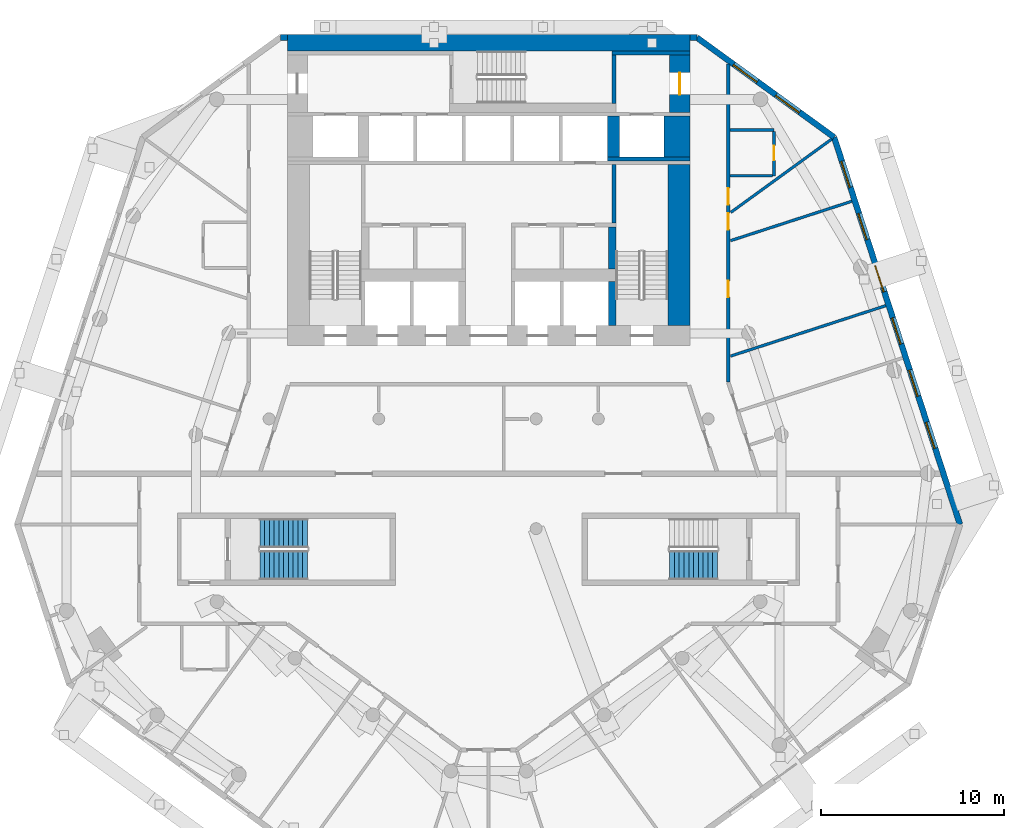
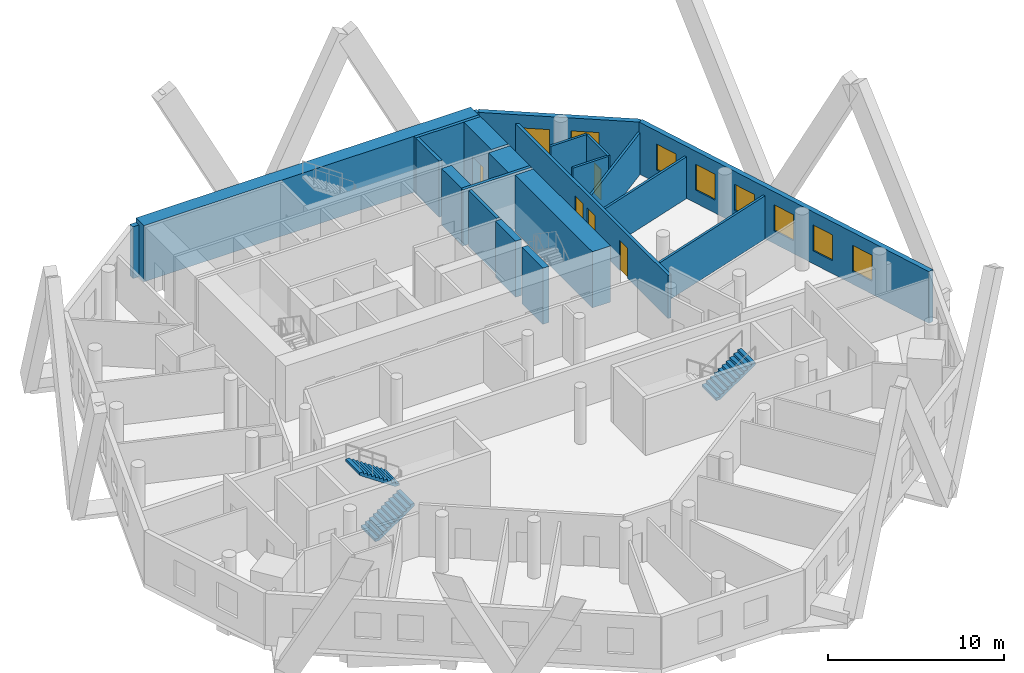
# One storey, part 8 of 11: 22 walls, 8 windows, 5 doors, 3 stair flights, 13 openings, 2 elements without a shape of their own.
"""IFC4 building model written with IfcOpenShell, lengths in metres."""

import ifcopenshell
import ifcopenshell.guid

model = None  # the IFC model being written
_history = None  # IfcOwnerHistory: only IFC2X3 demands one
_inside = {}  # id of a spatial element -> (the spatial element, [elements in it])
_under = {}  # id of a project, library or spatial element -> (it, [spatial elements below it])
_declared = {}  # id of a project -> (the project, [libraries it declares])
_typed = {}  # id of a type object -> (the type object, [elements of that type])
_made_of = {}  # id of a material, layer set ... -> (it, [elements and type objects made of it])


def new_model(schema):
    """Start an empty IFC model of exactly this schema.

    Asked for "IFC4X3", IfcOpenShell would pick the latest addendum, in which some entities
    have other attributes; the version numbers below select the first issue.
    IFC2X3 requires an IfcOwnerHistory on every rooted entity: one is made here for all.
    """
    global model, _history
    if schema == "IFC4X3":
        model = ifcopenshell.file(schema_version=(4, 3, 0, 0))
    else:
        model = ifcopenshell.file(schema=schema)
    _inside.clear()
    _under.clear()
    _declared.clear()
    _typed.clear()
    _made_of.clear()
    _history = None
    if model.schema == "IFC2X3":
        org = make("IfcOrganization", Name="unknown")
        user = make(
            "IfcPersonAndOrganization",
            ThePerson=make("IfcPerson", FamilyName="unknown"),
            TheOrganization=org,
        )
        app = make(
            "IfcApplication",
            ApplicationDeveloper=org,
            Version="unknown",
            ApplicationFullName="unknown",
            ApplicationIdentifier="unknown",
        )
        _history = make(
            "IfcOwnerHistory",
            OwningUser=user,
            OwningApplication=app,
            ChangeAction="ADDED",
            CreationDate=0,
        )
    return model


def make(cls, **values):
    """One entity of the class cls with the attributes given. An attribute that is None is left unset."""
    return model.create_entity(
        cls, **{name: value for name, value in values.items() if value is not None}
    )


def rooted(cls, **values):
    """An entity with a GlobalId (a new one), such as an element, a storey or a relation."""
    return make(cls, GlobalId=ifcopenshell.guid.new(), OwnerHistory=_history, **values)


def si_unit(unit_type, name, prefix=None):
    """IfcSIUnit, for example si_unit("LENGTHUNIT", "METRE", prefix="MILLI")."""
    return make("IfcSIUnit", UnitType=unit_type, Prefix=prefix, Name=name)


def assignment(units):
    """IfcUnitAssignment: the units of a project."""
    return None if units is None else make("IfcUnitAssignment", Units=units)


def point(xyz):
    """IfcCartesianPoint."""
    return None if xyz is None else make("IfcCartesianPoint", Coordinates=xyz)


def direction(xyz):
    """IfcDirection."""
    return None if xyz is None else make("IfcDirection", DirectionRatios=xyz)


def frame(location, z_axis=None, x_axis=None):
    """IfcAxis2Placement3D, a coordinate frame: its origin and axes. An axis left out is left unset."""
    return make(
        "IfcAxis2Placement3D",
        Location=point(location),
        Axis=direction(z_axis),
        RefDirection=direction(x_axis),
    )


def frame_2d(location, x_axis=None):
    """IfcAxis2Placement2D, a coordinate frame in the plane: its origin and x axis."""
    return make(
        "IfcAxis2Placement2D", Location=point(location), RefDirection=direction(x_axis)
    )


def origin():
    """The frame at (0, 0, 0) with its axes left unset."""
    return frame((0.0, 0.0, 0.0))


def place(relative_to, where):
    """IfcLocalPlacement: puts the frame where relative to a parent placement (None: the world)."""
    return make(
        "IfcLocalPlacement", PlacementRelTo=relative_to, RelativePlacement=where
    )


def context(
    kind, dimensions, precision=None, world=None, true_north=None, identifier=None
):
    """IfcGeometricRepresentationContext, for example the 3D "Model" context."""
    return make(
        "IfcGeometricRepresentationContext",
        ContextIdentifier=identifier,
        ContextType=kind,
        CoordinateSpaceDimension=dimensions,
        Precision=precision,
        WorldCoordinateSystem=world,
        TrueNorth=true_north,
    )


def subcontext(parent, identifier, kind, view, scale=None):
    """IfcGeometricRepresentationSubContext, for example "Body" below "Model"."""
    return make(
        "IfcGeometricRepresentationSubContext",
        ContextIdentifier=identifier,
        ContextType=kind,
        ParentContext=parent,
        TargetScale=scale,
        TargetView=view,
    )


def project(units=None, contexts=None):
    """IfcProject with its units and contexts."""
    return rooted(
        "IfcProject",
        Name="project",
        RepresentationContexts=contexts,
        UnitsInContext=assignment(units),
    )


def spatial(cls, under=None, at=None, **own):
    """A site, building, storey or space (cls), placed at a placement, below another one or the project."""
    s = rooted(cls, ObjectPlacement=at, **own)
    if under is not None:
        _under.setdefault(under.id(), (under, []))[1].append(s)
    return s


def polyline(points):
    """IfcPolyline through the points."""
    return make("IfcPolyline", Points=[point(p) for p in points])


def profile(cls, at=None, kind="AREA", **sizes):
    """A parametric profile (cls). Its sizes go by their IFC names, for example OverallWidth=200.0."""
    return make(cls, ProfileType=kind, Position=at, **sizes)


def rectangle(**sizes):
    """IfcRectangleProfileDef."""
    return profile("IfcRectangleProfileDef", **sizes)


def outline(outer, holes=None, kind="AREA"):
    """IfcArbitraryClosedProfileDef: a profile drawn as a closed curve; with holes, ...WithVoids."""
    if holes is None:
        return make("IfcArbitraryClosedProfileDef", ProfileType=kind, OuterCurve=outer)
    return make(
        "IfcArbitraryProfileDefWithVoids",
        ProfileType=kind,
        OuterCurve=outer,
        InnerCurves=holes,
    )


def extrude(swept, where, along, depth):
    """IfcExtrudedAreaSolid: the profile swept, set in the frame where, extruded along a direction by depth."""
    return make(
        "IfcExtrudedAreaSolid",
        SweptArea=swept,
        Position=where,
        ExtrudedDirection=direction(along),
        Depth=depth,
    )


def shape(context_of_items, identifier, shape_type, items):
    """IfcShapeRepresentation: the items that make up one representation, for example the "Body"."""
    return make(
        "IfcShapeRepresentation",
        ContextOfItems=context_of_items,
        RepresentationIdentifier=identifier,
        RepresentationType=shape_type,
        Items=items,
    )


def material(Name=None, Category=None):
    """IfcMaterial."""
    return make("IfcMaterial", Name=Name, Category=Category)


def layer(
    of_material, thickness, ventilated=None, Name=None, Category=None, Priority=None
):
    """IfcMaterialLayer: one layer of a wall or slab, of a material (None: an air gap)."""
    return make(
        "IfcMaterialLayer",
        Material=of_material,
        LayerThickness=thickness,
        IsVentilated=ventilated,
        Name=Name,
        Category=Category,
        Priority=Priority,
    )


def layer_set(layers, Name=None):
    """IfcMaterialLayerSet."""
    return make("IfcMaterialLayerSet", MaterialLayers=layers, LayerSetName=Name)


def made_of(thing, what):
    """Note that an element or type object is made of a material, layer set ...; save() writes the relation."""
    if what is not None:
        _made_of.setdefault(what.id(), (what, []))[1].append(thing)
    return thing


def type_object(cls, material=None, **own):
    """A type object (cls), such as IfcWallType, which elements share."""
    return made_of(rooted(cls, **own), material)


def element(
    cls,
    number,
    at=None,
    inside=None,
    cuts=None,
    type_object=None,
    material=None,
    context=None,
    identifier="Body",
    shape_type=None,
    held_by="IfcProductDefinitionShape",
    body=None,
    shapes=None,
    **own,
):
    """One element of the class cls, such as IfcWall. Its Tag is "e" and its number.

    at: its placement. inside: the storey or other place that contains it. cuts: it is an
    opening in that element (IfcRelVoidsElement). A single representation is given by context,
    identifier, shape_type and body (its items); several are given by shapes. held_by: the class
    of the entity that holds the representations. save() writes the other relations.
    """
    e = rooted(cls, Tag="e%d" % number, ObjectPlacement=at, **own)
    if body is not None:
        shapes = [shape(context, identifier, shape_type, body)]
    if shapes is not None:
        e.Representation = make(held_by, Representations=shapes)
    if inside is not None:
        _inside.setdefault(inside.id(), (inside, []))[1].append(e)
    if cuts is not None:
        rooted(
            "IfcRelVoidsElement", RelatingBuildingElement=cuts, RelatedOpeningElement=e
        )
    if type_object is not None:
        _typed.setdefault(type_object.id(), (type_object, []))[1].append(e)
    return made_of(e, material)


def fill(opening, filler):
    """IfcRelFillsElement: the door or window that sits in an opening."""
    return rooted(
        "IfcRelFillsElement",
        RelatingOpeningElement=opening,
        RelatedBuildingElement=filler,
    )


def aggregate(whole, parts):
    """IfcRelAggregates: a whole, such as a stair, and the parts it consists of."""
    return rooted("IfcRelAggregates", RelatingObject=whole, RelatedObjects=parts)


def save(model, path):
    """Write the relations noted so far, then the file.

    IfcRelAggregates (storeys below a building ...), IfcRelContainedInSpatialStructure (elements
    in a storey), IfcRelDefinesByType, IfcRelAssociatesMaterial and IfcRelDeclares: one each for
    every whole, place, type object, material and project.
    """
    for whole, parts in _under.values():
        aggregate(whole, parts)
    for where, things in _inside.values():
        rooted(
            "IfcRelContainedInSpatialStructure",
            RelatedElements=things,
            RelatingStructure=where,
        )
    for kind, things in _typed.values():
        rooted("IfcRelDefinesByType", RelatedObjects=things, RelatingType=kind)
    for what, things in _made_of.values():
        rooted("IfcRelAssociatesMaterial", RelatedObjects=things, RelatingMaterial=what)
    for by, libraries in _declared.values():
        rooted("IfcRelDeclares", RelatingContext=by, RelatedDefinitions=libraries)
    model.write(path)


model = new_model("IFC4")

# Units and contexts
model_context = context("Model", 3, precision=1e-05, world=origin(), true_north=direction((0.0, 1.0)))
body_context = subcontext(model_context, "Body", "Model", "MODEL_VIEW")
ifc_project = project(units=[si_unit("LENGTHUNIT", "METRE"), si_unit("AREAUNIT", "SQUARE_METRE"), si_unit("VOLUMEUNIT", "CUBIC_METRE"), si_unit("PLANEANGLEUNIT", "RADIAN"), si_unit("MASSUNIT", "GRAM", prefix="KILO")], contexts=[model_context])

# Site, building, storey
site_placement = place(None, origin())
site = spatial("IfcSite", under=ifc_project, at=site_placement, CompositionType="ELEMENT")
building_placement = place(site_placement, origin())
building = spatial("IfcBuilding", under=site, at=building_placement, Name="White Candle Pilgrim Tower", CompositionType="ELEMENT")
storey_placement = place(building_placement, frame((0.0, 0.0, 90.800048828125)))
storey = spatial("IfcBuildingStorey", under=building, at=storey_placement, Name="L19", CompositionType="ELEMENT", Elevation=90.800048828125)

# Wall, opening, door
ifc_material_1 = material(Name="Concrete C60/75", Category="concrete")
ifc_layer_1 = layer(ifc_material_1, 1.10009765625)
ifc_layer_set_1 = layer_set([ifc_layer_1], Name="Core wall 1100 mm Concrete C60/75")
wall_type_1 = type_object("IfcWallType", Name="Core wall 1100 mm Concrete C60/75", PredefinedType="SHEAR", material=ifc_layer_set_1)
wall_1_placement = place(storey_placement, frame((80.449951171875, 83.75, 0.0), z_axis=(0.0, 0.0, 1.0), x_axis=(0.0, 1.0, 0.0)))
wall_1 = element("IfcWall", 1, at=wall_1_placement, inside=storey, type_object=wall_type_1, Name="WL-L19-C46", PredefinedType="SHEAR", context=body_context, shape_type="SweptSolid", body=[
    extrude(rectangle(XDim=3.14990234375, YDim=1.10009765625, at=frame_2d((1.574951171875, 0.0))), origin(), (0.0, 0.0, 1.0), 3.89990234375),
])
opening_1_placement = place(wall_1_placement, frame((0.97509765625, 0.0, 0.0)))
opening_1 = element("IfcOpeningElement", 2, at=opening_1_placement, cuts=wall_1, Name="Opening T06-006", PredefinedType="OPENING", context=body_context, shape_type="SweptSolid", body=[
    extrude(rectangle(XDim=1.199951171875, YDim=2.10009765625, at=frame_2d((0.60009765625, 1.050048828125))), frame((0.0, 0.56005859375, 0.0), z_axis=(0.0, -1.0, 0.0), x_axis=(1.0, 0.0, 0.0)), (0.0, 0.0, 1.0), 1.1201171875),
])
ifc_material_2 = material(Name="Steel door leaf", Category="steel")
door_type_1 = type_object("IfcDoorType", Name="Fire door 1200 x 2100 EI 30", OperationType="NOTDEFINED", PredefinedType="DOOR", material=ifc_material_2)
door_1_placement = place(opening_1_placement, origin())
door_1 = element("IfcDoor", 3, at=door_1_placement, inside=storey, type_object=door_type_1, Name="Door T06-006", OperationType="SINGLE_SWING_RIGHT", OverallHeight=2.10009765625, OverallWidth=1.199951171875, PredefinedType="DOOR", context=body_context, shape_type="SweptSolid", body=[
    extrude(rectangle(XDim=1.199951171875, YDim=2.10009765625, at=frame_2d((0.60009765625, 1.050048828125))), frame((0.0, 0.02490234375, 0.0), z_axis=(0.0, -1.0, 0.0), x_axis=(1.0, 0.0, 0.0)), (0.0, 0.0, 1.0), 0.050048828125),
])
fill(opening_1, door_1)

# Walls
ifc_layer_2 = layer(ifc_material_1, 1.39990234375)
ifc_layer_set_2 = layer_set([ifc_layer_2], Name="Core wall 1400 mm Concrete C60/75")
wall_type_2 = type_object("IfcWallType", Name="Core wall 1400 mm Concrete C60/75", PredefinedType="SHEAR", material=ifc_layer_set_2)
wall_2_placement = place(storey_placement, frame((80.300048828125, 81.300048828125, 0.0), z_axis=(0.0, 0.0, 1.0), x_axis=(0.0, 1.0, 0.0)))
element("IfcWall", 4, at=wall_2_placement, inside=storey, type_object=wall_type_2, Name="WL-L19-C42", PredefinedType="SHEAR", context=body_context, shape_type="SweptSolid", body=[
    extrude(rectangle(XDim=2.25, YDim=1.39990234375, at=frame_2d((1.125, 0.0))), origin(), (0.0, 0.0, 1.0), 3.89990234375),
])
ifc_layer_3 = layer(ifc_material_1, 0.199951171875)
ifc_layer_set_3 = layer_set([ifc_layer_3], Name="Core wall 200 mm Concrete C60/75")
wall_type_3 = type_object("IfcWallType", Name="Core wall 200 mm Concrete C60/75", PredefinedType="SHEAR", material=ifc_layer_set_3)
wall_3_placement = place(storey_placement, frame((76.5, 81.199951171875, 0.0), z_axis=(0.0, 0.0, 1.0), x_axis=(1.0, 0.0, 0.0)))
element("IfcWall", 5, at=wall_3_placement, inside=storey, type_object=wall_type_3, Name="WL-L19-C38", PredefinedType="SHEAR", context=body_context, shape_type="SweptSolid", body=[
    extrude(rectangle(XDim=4.5, YDim=0.199951171875, at=frame_2d((2.25, 0.0))), origin(), (0.0, 0.0, 1.0), 3.89990234375),
])

# Wall, openings, doors
ifc_material_3 = material(Name="Gypsum board on steel studs", Category="steel")
ifc_layer_4 = layer(ifc_material_3, 0.199951171875)
ifc_layer_set_4 = layer_set([ifc_layer_4], Name="Corridor wall 200 mm EI 45")
wall_type_4 = type_object("IfcWallType", Name="Corridor wall 200 mm EI 45", PredefinedType="PARTITIONING", material=ifc_layer_set_4)
wall_4_placement = place(storey_placement, frame((83.10009765625, 86.396240234375, 0.0), z_axis=(0.0, 0.0, 1.0), x_axis=(0.0, -1.0, 0.0)))
wall_4 = element("IfcWall", 6, at=wall_4_placement, inside=storey, type_object=wall_type_4, Name="WL-L19-P004", PredefinedType="PARTITIONING", context=body_context, shape_type="SweptSolid", body=[
    extrude(rectangle(XDim=17.37451171875, YDim=0.199951171875, at=frame_2d((8.687255859375, 0.0))), origin(), (0.0, 0.0, 1.0), 3.0),
])
opening_2_placement = place(wall_4_placement, frame((6.785888671875, 0.0, 0.0)))
opening_2 = element("IfcOpeningElement", 7, at=opening_2_placement, cuts=wall_4, Name="Opening T06-123", PredefinedType="OPENING", context=body_context, shape_type="SweptSolid", body=[
    extrude(rectangle(XDim=0.89990234375, YDim=2.10009765625, at=frame_2d((0.449951171875, 1.050048828125))), frame((0.0, 0.10986328125, 0.0), z_axis=(0.0, -1.0, 0.0), x_axis=(1.0, 0.0, 0.0)), (0.0, 0.0, 1.0), 0.219970703125),
])
opening_3_placement = place(wall_4_placement, frame((8.156494140625, 0.0, 0.0)))
opening_3 = element("IfcOpeningElement", 8, at=opening_3_placement, cuts=wall_4, Name="Opening T06-124", PredefinedType="OPENING", context=body_context, shape_type="SweptSolid", body=[
    extrude(rectangle(XDim=0.89990234375, YDim=2.10009765625, at=frame_2d((0.449951171875, 1.050048828125))), frame((0.0, 0.10986328125, 0.0), z_axis=(0.0, -1.0, 0.0), x_axis=(1.0, 0.0, 0.0)), (0.0, 0.0, 1.0), 0.219970703125),
])
opening_4_placement = place(wall_4_placement, frame((11.8486328125, 0.0, 0.0)))
opening_4 = element("IfcOpeningElement", 9, at=opening_4_placement, cuts=wall_4, Name="Opening T06-125", PredefinedType="OPENING", context=body_context, shape_type="SweptSolid", body=[
    extrude(rectangle(XDim=0.89990234375, YDim=2.10009765625, at=frame_2d((0.449951171875, 1.050048828125))), frame((0.0, 0.10986328125, 0.0), z_axis=(0.0, -1.0, 0.0), x_axis=(1.0, 0.0, 0.0)), (0.0, 0.0, 1.0), 0.219970703125),
])
door_type_2 = type_object("IfcDoorType", Name="Fire door 900 x 2100 EI 30", OperationType="NOTDEFINED", PredefinedType="DOOR", material=ifc_material_2)
door_2_placement = place(opening_2_placement, origin())
door_2 = element("IfcDoor", 10, at=door_2_placement, inside=storey, type_object=door_type_2, Name="Door T06-123", OperationType="SINGLE_SWING_LEFT", OverallHeight=2.10009765625, OverallWidth=0.89990234375, PredefinedType="DOOR", context=body_context, shape_type="SweptSolid", body=[
    extrude(rectangle(XDim=0.89990234375, YDim=2.10009765625, at=frame_2d((0.449951171875, 1.050048828125))), frame((0.0, 0.02490234375, 0.0), z_axis=(0.0, -1.0, 0.0), x_axis=(1.0, 0.0, 0.0)), (0.0, 0.0, 1.0), 0.050048828125),
])
fill(opening_2, door_2)
door_3_placement = place(opening_3_placement, origin())
door_3 = element("IfcDoor", 11, at=door_3_placement, inside=storey, type_object=door_type_2, Name="Door T06-124", OperationType="SINGLE_SWING_RIGHT", OverallHeight=2.10009765625, OverallWidth=0.89990234375, PredefinedType="DOOR", context=body_context, shape_type="SweptSolid", body=[
    extrude(rectangle(XDim=0.89990234375, YDim=2.10009765625, at=frame_2d((0.449951171875, 1.050048828125))), frame((0.0, 0.02490234375, 0.0), z_axis=(0.0, -1.0, 0.0), x_axis=(1.0, 0.0, 0.0)), (0.0, 0.0, 1.0), 0.050048828125),
])
fill(opening_3, door_3)
door_4_placement = place(opening_4_placement, origin())
door_4 = element("IfcDoor", 12, at=door_4_placement, inside=storey, type_object=door_type_2, Name="Door T06-125", OperationType="SINGLE_SWING_LEFT", OverallHeight=2.10009765625, OverallWidth=0.89990234375, PredefinedType="DOOR", context=body_context, shape_type="SweptSolid", body=[
    extrude(rectangle(XDim=0.89990234375, YDim=2.10009765625, at=frame_2d((0.449951171875, 1.050048828125))), frame((0.0, 0.02490234375, 0.0), z_axis=(0.0, -1.0, 0.0), x_axis=(1.0, 0.0, 0.0)), (0.0, 0.0, 1.0), 0.050048828125),
])
fill(opening_4, door_4)

# Wall, openings, windows
ifc_material_4 = material(Name="Precast concrete C40/50", Category="concrete")
ifc_layer_5 = layer(ifc_material_4, 0.320068359375)
ifc_layer_set_5 = layer_set([ifc_layer_5], Name="Facade wall EW1 precast concrete C40/50 pier wall with timber-lined reveals")
wall_type_5 = type_object("IfcWallType", Name="Facade wall EW1 precast concrete C40/50 pier wall with timber-lined reveals", PredefinedType="SOLIDWALL", material=ifc_layer_set_5)
wall_5_placement = place(storey_placement, frame((95.762451171875, 61.230712890625, 0.0), z_axis=(0.0, 0.0, 1.0), x_axis=(-0.309018577053, 0.95105600205, 0.0)))
wall_5 = element("IfcWall", 13, at=wall_5_placement, inside=storey, type_object=wall_type_5, Name="Facade wall L19 ENE", PredefinedType="SOLIDWALL", context=body_context, shape_type="SweptSolid", body=[
    extrude(rectangle(XDim=22.2470703125, YDim=0.320068359375, at=frame_2d((11.12353515625, 0.0))), origin(), (0.0, 0.0, 1.0), 3.599853515625),
])
opening_5_placement = place(wall_5_placement, frame((4.37353515625, 0.0, 0.89990234375)))
opening_5 = element("IfcOpeningElement", 14, at=opening_5_placement, cuts=wall_5, Name="Opening W1", PredefinedType="OPENING", context=body_context, shape_type="SweptSolid", body=[
    extrude(rectangle(XDim=1.5, YDim=1.800048828125, at=frame_2d((0.75, 0.89990234375))), frame((0.0, 0.169921875, 0.0), z_axis=(0.0, -1.0, 0.0), x_axis=(1.0, 0.0, 0.0)), (0.0, 0.0, 1.0), 0.340087890625),
])
opening_6_placement = place(wall_5_placement, frame((7.37353515625, 0.0, 0.89990234375)))
opening_6 = element("IfcOpeningElement", 15, at=opening_6_placement, cuts=wall_5, Name="Opening W1", PredefinedType="OPENING", context=body_context, shape_type="SweptSolid", body=[
    extrude(rectangle(XDim=1.5, YDim=1.800048828125, at=frame_2d((0.75, 0.89990234375))), frame((0.0, 0.169921875, 0.0), z_axis=(0.0, -1.0, 0.0), x_axis=(1.0, 0.0, 0.0)), (0.0, 0.0, 1.0), 0.340087890625),
])
opening_7_placement = place(wall_5_placement, frame((10.37353515625, 0.0, 0.89990234375)))
opening_7 = element("IfcOpeningElement", 16, at=opening_7_placement, cuts=wall_5, Name="Opening W1", PredefinedType="OPENING", context=body_context, shape_type="SweptSolid", body=[
    extrude(rectangle(XDim=1.5, YDim=1.800048828125, at=frame_2d((0.75, 0.89990234375))), frame((0.0, 0.169921875, 0.0), z_axis=(0.0, -1.0, 0.0), x_axis=(1.0, 0.0, 0.0)), (0.0, 0.0, 1.0), 0.340087890625),
])
opening_8_placement = place(wall_5_placement, frame((13.37353515625, 0.0, 0.89990234375)))
opening_8 = element("IfcOpeningElement", 17, at=opening_8_placement, cuts=wall_5, Name="Opening W1", PredefinedType="OPENING", context=body_context, shape_type="SweptSolid", body=[
    extrude(rectangle(XDim=1.5, YDim=1.800048828125, at=frame_2d((0.75, 0.89990234375))), frame((0.0, 0.169921875, 0.0), z_axis=(0.0, -1.0, 0.0), x_axis=(1.0, 0.0, 0.0)), (0.0, 0.0, 1.0), 0.340087890625),
])
opening_9_placement = place(wall_5_placement, frame((16.37353515625, 0.0, 0.89990234375)))
opening_9 = element("IfcOpeningElement", 18, at=opening_9_placement, cuts=wall_5, Name="Opening W1", PredefinedType="OPENING", context=body_context, shape_type="SweptSolid", body=[
    extrude(rectangle(XDim=1.5, YDim=1.800048828125, at=frame_2d((0.75, 0.89990234375))), frame((0.0, 0.169921875, 0.0), z_axis=(0.0, -1.0, 0.0), x_axis=(1.0, 0.0, 0.0)), (0.0, 0.0, 1.0), 0.340087890625),
])
opening_10_placement = place(wall_5_placement, frame((19.37353515625, 0.0, 0.89990234375)))
opening_10 = element("IfcOpeningElement", 19, at=opening_10_placement, cuts=wall_5, Name="Opening W1", PredefinedType="OPENING", context=body_context, shape_type="SweptSolid", body=[
    extrude(rectangle(XDim=1.5, YDim=1.800048828125, at=frame_2d((0.75, 0.89990234375))), frame((0.0, 0.169921875, 0.0), z_axis=(0.0, -1.0, 0.0), x_axis=(1.0, 0.0, 0.0)), (0.0, 0.0, 1.0), 0.340087890625),
])
ifc_material_5 = material(Name="Timber frame with triple glazing", Category="wood")
window_type_1 = type_object("IfcWindowType", Name="Window W1 1500x1800 timber frame triple glazing", PartitioningType="SINGLE_PANEL", PredefinedType="WINDOW", material=ifc_material_5)
window_1_placement = place(opening_5_placement, origin())
window_1 = element("IfcWindow", 20, at=window_1_placement, inside=storey, type_object=window_type_1, Name="Window W1 L19 ENE 2", OverallHeight=1.800048828125, OverallWidth=1.5, PartitioningType="SINGLE_PANEL", PredefinedType="WINDOW", context=body_context, shape_type="SweptSolid", body=[
    extrude(rectangle(XDim=1.5, YDim=1.800048828125, at=frame_2d((0.75, 0.89990234375))), frame((0.0, 0.070068359375, 0.0), z_axis=(0.0, -1.0, 0.0), x_axis=(1.0, 0.0, 0.0)), (0.0, 0.0, 1.0), 0.06005859375),
])
fill(opening_5, window_1)
window_2_placement = place(opening_6_placement, origin())
window_2 = element("IfcWindow", 21, at=window_2_placement, inside=storey, type_object=window_type_1, Name="Window W1 L19 ENE 3", OverallHeight=1.800048828125, OverallWidth=1.5, PartitioningType="SINGLE_PANEL", PredefinedType="WINDOW", context=body_context, shape_type="SweptSolid", body=[
    extrude(rectangle(XDim=1.5, YDim=1.800048828125, at=frame_2d((0.75, 0.89990234375))), frame((0.0, 0.070068359375, 0.0), z_axis=(0.0, -1.0, 0.0), x_axis=(1.0, 0.0, 0.0)), (0.0, 0.0, 1.0), 0.06005859375),
])
fill(opening_6, window_2)
window_3_placement = place(opening_7_placement, origin())
window_3 = element("IfcWindow", 22, at=window_3_placement, inside=storey, type_object=window_type_1, Name="Window W1 L19 ENE 4", OverallHeight=1.800048828125, OverallWidth=1.5, PartitioningType="SINGLE_PANEL", PredefinedType="WINDOW", context=body_context, shape_type="SweptSolid", body=[
    extrude(rectangle(XDim=1.5, YDim=1.800048828125, at=frame_2d((0.75, 0.89990234375))), frame((0.0, 0.070068359375, 0.0), z_axis=(0.0, -1.0, 0.0), x_axis=(1.0, 0.0, 0.0)), (0.0, 0.0, 1.0), 0.06005859375),
])
fill(opening_7, window_3)
window_4_placement = place(opening_8_placement, origin())
window_4 = element("IfcWindow", 23, at=window_4_placement, inside=storey, type_object=window_type_1, Name="Window W1 L19 ENE 5", OverallHeight=1.800048828125, OverallWidth=1.5, PartitioningType="SINGLE_PANEL", PredefinedType="WINDOW", context=body_context, shape_type="SweptSolid", body=[
    extrude(rectangle(XDim=1.5, YDim=1.800048828125, at=frame_2d((0.75, 0.89990234375))), frame((0.0, 0.070068359375, 0.0), z_axis=(0.0, -1.0, 0.0), x_axis=(1.0, 0.0, 0.0)), (0.0, 0.0, 1.0), 0.06005859375),
])
fill(opening_8, window_4)
window_5_placement = place(opening_9_placement, origin())
window_5 = element("IfcWindow", 24, at=window_5_placement, inside=storey, type_object=window_type_1, Name="Window W1 L19 ENE 6", OverallHeight=1.800048828125, OverallWidth=1.5, PartitioningType="SINGLE_PANEL", PredefinedType="WINDOW", context=body_context, shape_type="SweptSolid", body=[
    extrude(rectangle(XDim=1.5, YDim=1.800048828125, at=frame_2d((0.75, 0.89990234375))), frame((0.0, 0.070068359375, 0.0), z_axis=(0.0, -1.0, 0.0), x_axis=(1.0, 0.0, 0.0)), (0.0, 0.0, 1.0), 0.06005859375),
])
fill(opening_9, window_5)
window_6_placement = place(opening_10_placement, origin())
window_6 = element("IfcWindow", 25, at=window_6_placement, inside=storey, type_object=window_type_1, Name="Window W1 L19 ENE 7", OverallHeight=1.800048828125, OverallWidth=1.5, PartitioningType="SINGLE_PANEL", PredefinedType="WINDOW", context=body_context, shape_type="SweptSolid", body=[
    extrude(rectangle(XDim=1.5, YDim=1.800048828125, at=frame_2d((0.75, 0.89990234375))), frame((0.0, 0.070068359375, 0.0), z_axis=(0.0, -1.0, 0.0), x_axis=(1.0, 0.0, 0.0)), (0.0, 0.0, 1.0), 0.06005859375),
])
fill(opening_10, window_6)

wall_6_placement = place(storey_placement, frame((88.8876953125, 82.388916015625, 0.0), z_axis=(0.0, 0.0, 1.0), x_axis=(-0.809009213142, 0.587795962092, 0.0)))
wall_6 = element("IfcWall", 26, at=wall_6_placement, inside=storey, type_object=wall_type_5, Name="Facade wall L19 NE chamfer", PredefinedType="SOLIDWALL", context=body_context, shape_type="SweptSolid", body=[
    extrude(rectangle(XDim=9.27392578125, YDim=0.320068359375, at=frame_2d((4.636962890625, 0.0))), origin(), (0.0, 0.0, 1.0), 3.599853515625),
])
opening_11_placement = place(wall_6_placement, frame((2.3369140625, 0.0, 0.89990234375)))
opening_11 = element("IfcOpeningElement", 27, at=opening_11_placement, cuts=wall_6, Name="Opening W2", PredefinedType="OPENING", context=body_context, shape_type="SweptSolid", body=[
    extrude(rectangle(XDim=1.60009765625, YDim=1.800048828125, at=frame_2d((0.800048828125, 0.89990234375))), frame((0.0, 0.169921875, 0.0), z_axis=(0.0, -1.0, 0.0), x_axis=(1.0, 0.0, 0.0)), (0.0, 0.0, 1.0), 0.340087890625),
])
opening_12_placement = place(wall_6_placement, frame((5.18701171875, 0.0, 0.89990234375)))
opening_12 = element("IfcOpeningElement", 28, at=opening_12_placement, cuts=wall_6, Name="Opening W2", PredefinedType="OPENING", context=body_context, shape_type="SweptSolid", body=[
    extrude(rectangle(XDim=1.60009765625, YDim=1.800048828125, at=frame_2d((0.800048828125, 0.89990234375))), frame((0.0, 0.169921875, 0.0), z_axis=(0.0, -1.0, 0.0), x_axis=(1.0, 0.0, 0.0)), (0.0, 0.0, 1.0), 0.340087890625),
])
window_type_2 = type_object("IfcWindowType", Name="Window W2 1600x1800 timber frame triple glazing", PartitioningType="SINGLE_PANEL", PredefinedType="WINDOW", material=ifc_material_5)
window_7_placement = place(opening_11_placement, origin())
window_7 = element("IfcWindow", 29, at=window_7_placement, inside=storey, type_object=window_type_2, Name="Window W2 L19 NE chamfer 1", OverallHeight=1.800048828125, OverallWidth=1.60009765625, PartitioningType="SINGLE_PANEL", PredefinedType="WINDOW", context=body_context, shape_type="SweptSolid", body=[
    extrude(rectangle(XDim=1.60009765625, YDim=1.800048828125, at=frame_2d((0.800048828125, 0.89990234375))), frame((0.0, 0.070068359375, 0.0), z_axis=(0.0, -1.0, 0.0), x_axis=(1.0, 0.0, 0.0)), (0.0, 0.0, 1.0), 0.06005859375),
])
fill(opening_11, window_7)
window_8_placement = place(opening_12_placement, origin())
window_8 = element("IfcWindow", 30, at=window_8_placement, inside=storey, type_object=window_type_2, Name="Window W2 L19 NE chamfer 2", OverallHeight=1.800048828125, OverallWidth=1.60009765625, PartitioningType="SINGLE_PANEL", PredefinedType="WINDOW", context=body_context, shape_type="SweptSolid", body=[
    extrude(rectangle(XDim=1.60009765625, YDim=1.800048828125, at=frame_2d((0.800048828125, 0.89990234375))), frame((0.0, 0.070068359375, 0.0), z_axis=(0.0, -1.0, 0.0), x_axis=(1.0, 0.0, 0.0)), (0.0, 0.0, 1.0), 0.06005859375),
])
fill(opening_12, window_8)

# Walls
for number, where, z_axis, x_axis, name in (
    (31, (81.385009765625, 87.840087890625, 0.0), (0.0, 0.0, 1.0), (-1.0, 0.0, 0.0), "Facade wall L19 N"),
    (32, (59.0, 87.840087890625, 0.0), (0.0, 0.0, 1.0), (-1.0, 0.0, 0.0), "Facade wall L19 N"),
):
    element("IfcWall", number, at=place(storey_placement, frame(where, z_axis=z_axis, x_axis=x_axis)), inside=storey, type_object=wall_type_5, Name=name, PredefinedType="SOLIDWALL", context=body_context, shape_type="SweptSolid", body=[
        extrude(rectangle(XDim=0.385009765625, YDim=0.320068359375, at=frame_2d((0.1923828125, 0.0))), origin(), (0.0, 0.0, 1.0), 3.599853515625),
    ])
ifc_layer_6 = layer(ifc_material_3, 0.14990234375)
ifc_layer_set_6 = layer_set([ifc_layer_6], Name="Partition 150 mm EI 60")
wall_type_6 = type_object("IfcWallType", Name="Partition 150 mm EI 60", PredefinedType="PARTITIONING", material=ifc_layer_set_6)
wall_7_placement = place(storey_placement, frame((88.751708984375, 82.2900390625, 0.0), z_axis=(0.0, 0.0, 1.0), x_axis=(-0.809035290939, -0.587760068408, 0.0)))
element("IfcWall", 33, at=wall_7_placement, inside=storey, type_object=wall_type_6, Name="WL-L19-P023", PredefinedType="PARTITIONING", context=body_context, shape_type="SweptSolid", body=[
    extrude(rectangle(XDim=6.8076171875, YDim=0.14990234375, at=frame_2d((3.40380859375, 0.0))), origin(), (0.0, 0.0, 1.0), 2.89990234375),
])
wall_8_placement = place(storey_placement, frame((91.70947265625, 73.18701171875, 0.0), z_axis=(0.0, 0.0, 1.0), x_axis=(-0.951058193987, -0.309011830923, 0.0)))
element("IfcWall", 34, at=wall_8_placement, inside=storey, type_object=wall_type_6, Name="WL-L19-P040", PredefinedType="PARTITIONING", context=body_context, shape_type="SweptSolid", body=[
    extrude(rectangle(XDim=8.923095703125, YDim=0.14990234375, at=frame_2d((4.46142578125, 0.0))), origin(), (0.0, 0.0, 1.0), 3.0),
])
wall_9_placement = place(storey_placement, frame((89.855224609375, 78.893310546875, 0.0), z_axis=(0.0, 0.0, 1.0), x_axis=(-0.951050790673, -0.309034615471, 0.0)))
element("IfcWall", 35, at=wall_9_placement, inside=storey, type_object=wall_type_6, Name="WL-L19-P041", PredefinedType="PARTITIONING", context=body_context, shape_type="SweptSolid", body=[
    extrude(rectangle(XDim=6.973388671875, YDim=0.14990234375, at=frame_2d((3.48681640625, 0.0))), origin(), (0.0, 0.0, 1.0), 2.89990234375),
])
wall_10_placement = place(storey_placement, frame((83.199951171875, 82.783935546875, 0.0), z_axis=(0.0, 0.0, 1.0), x_axis=(1.0, 0.0, 0.0)))
element("IfcWall", 36, at=wall_10_placement, inside=storey, type_object=wall_type_6, Name="WL-L19-P042", PredefinedType="PARTITIONING", context=body_context, shape_type="SweptSolid", body=[
    extrude(rectangle(XDim=2.400146484375, YDim=0.14990234375, at=frame_2d((1.2001953125, 0.0))), origin(), (0.0, 0.0, 1.0), 3.599853515625),
])

# Wall, opening, door
wall_11_placement = place(storey_placement, frame((85.60009765625, 80.283935546875, 0.0), z_axis=(0.0, 0.0, 1.0), x_axis=(0.0, 1.0, 0.0)))
wall_11 = element("IfcWall", 37, at=wall_11_placement, inside=storey, type_object=wall_type_6, Name="WL-L19-P043", PredefinedType="PARTITIONING", context=body_context, shape_type="SweptSolid", body=[
    extrude(rectangle(XDim=2.425048828125, YDim=0.14990234375, at=frame_2d((1.21240234375, 0.0))), origin(), (0.0, 0.0, 1.0), 3.599853515625),
])
opening_13_placement = place(wall_11_placement, frame((0.85009765625, 0.0, 0.0)))
opening_13 = element("IfcOpeningElement", 38, at=opening_13_placement, cuts=wall_11, Name="Opening T06-115", PredefinedType="OPENING", context=body_context, shape_type="SweptSolid", body=[
    extrude(rectangle(XDim=0.800048828125, YDim=2.10009765625, at=frame_2d((0.39990234375, 1.050048828125))), frame((0.0, 0.0849609375, 0.0), z_axis=(0.0, -1.0, 0.0), x_axis=(1.0, 0.0, 0.0)), (0.0, 0.0, 1.0), 0.169921875),
])
door_type_3 = type_object("IfcDoorType", Name="Fire door 800 x 2100 EI 30", OperationType="NOTDEFINED", PredefinedType="DOOR", material=ifc_material_2)
door_5_placement = place(opening_13_placement, frame((0.800048828125, 0.0, 0.0), z_axis=(0.0, 0.0, 1.0), x_axis=(-1.0, 0.0, 0.0)))
door_5 = element("IfcDoor", 39, at=door_5_placement, inside=storey, type_object=door_type_3, Name="Door T06-115", OperationType="SINGLE_SWING_RIGHT", OverallHeight=2.10009765625, OverallWidth=0.800048828125, PredefinedType="DOOR", context=body_context, shape_type="SweptSolid", body=[
    extrude(rectangle(XDim=0.800048828125, YDim=2.10009765625, at=frame_2d((0.39990234375, 1.050048828125))), frame((0.0, 0.02490234375, 0.0), z_axis=(0.0, -1.0, 0.0), x_axis=(1.0, 0.0, 0.0)), (0.0, 0.0, 1.0), 0.050048828125),
])
fill(opening_13, door_5)

# Walls
wall_12_placement = place(storey_placement, frame((83.199951171875, 80.283935546875, 0.0), z_axis=(0.0, 0.0, 1.0), x_axis=(1.0, 0.0, 0.0)))
element("IfcWall", 40, at=wall_12_placement, inside=storey, type_object=wall_type_6, Name="WL-L19-P044", PredefinedType="PARTITIONING", context=body_context, shape_type="SweptSolid", body=[
    extrude(rectangle(XDim=2.324951171875, YDim=0.14990234375, at=frame_2d((1.16259765625, 0.0))), origin(), (0.0, 0.0, 1.0), 3.599853515625),
])
ifc_layer_7 = layer(ifc_material_1, 0.64990234375)
ifc_layer_set_7 = layer_set([ifc_layer_7], Name="Shaft wall 650 mm Concrete C60/75")
wall_type_7 = type_object("IfcWallType", Name="Shaft wall 650 mm Concrete C60/75", PredefinedType="SHEAR", material=ifc_layer_set_7)
wall_13_placement = place(storey_placement, frame((76.824951171875, 81.300048828125, 0.0), z_axis=(0.0, 0.0, 1.0), x_axis=(0.0, 1.0, 0.0)))
element("IfcWall", 41, at=wall_13_placement, inside=storey, type_object=wall_type_7, Name="WL-L19-C41", PredefinedType="SHEAR", context=body_context, shape_type="SweptSolid", body=[
    extrude(rectangle(XDim=2.25, YDim=0.64990234375, at=frame_2d((1.125, 0.0))), origin(), (0.0, 0.0, 1.0), 3.89990234375),
])
ifc_layer_8 = layer(ifc_material_1, 1.199951171875)
ifc_layer_set_8 = layer_set([ifc_layer_8], Name="Stair shaft wall 1200 mm Concrete C60/75")
wall_type_8 = type_object("IfcWallType", Name="Stair shaft wall 1200 mm Concrete C60/75", PredefinedType="SHEAR", material=ifc_layer_set_8)
wall_14_placement = place(storey_placement, frame((80.39990234375, 72.10009765625, 0.0), z_axis=(0.0, 0.0, 1.0), x_axis=(0.0, 1.0, 0.0)))
element("IfcWall", 42, at=wall_14_placement, inside=storey, type_object=wall_type_8, Name="WL-L19-C19", PredefinedType="SHEAR", context=body_context, shape_type="SweptSolid", body=[
    extrude(rectangle(XDim=8.7998046875, YDim=1.199951171875, at=frame_2d((4.39990234375, 0.0))), origin(), (0.0, 0.0, 1.0), 3.89990234375),
])
ifc_layer_9 = layer(ifc_material_1, 0.199951171875)
ifc_layer_set_9 = layer_set([ifc_layer_9], Name="Stair shaft wall 200 mm Concrete C60/75")
wall_type_9 = type_object("IfcWallType", Name="Stair shaft wall 200 mm Concrete C60/75", PredefinedType="SHEAR", material=ifc_layer_set_9)
wall_15_placement = place(storey_placement, frame((76.85009765625, 77.699951171875, 0.0), z_axis=(0.0, 0.0, 1.0), x_axis=(0.0, 1.0, 0.0)))
element("IfcWall", 43, at=wall_15_placement, inside=storey, type_object=wall_type_9, Name="WL-L19-C31", PredefinedType="SHEAR", context=body_context, shape_type="SweptSolid", body=[
    extrude(rectangle(XDim=3.199951171875, YDim=0.199951171875, at=frame_2d((1.60009765625, 0.0))), origin(), (0.0, 0.0, 1.0), 3.89990234375),
])
wall_16_placement = place(storey_placement, frame((76.85009765625, 84.25, 0.0), z_axis=(0.0, 0.0, 1.0), x_axis=(0.0, 1.0, 0.0)))
element("IfcWall", 44, at=wall_16_placement, inside=storey, type_object=wall_type_9, Name="WL-L19-C48", PredefinedType="SHEAR", context=body_context, shape_type="SweptSolid", body=[
    extrude(rectangle(XDim=2.64990234375, YDim=0.199951171875, at=frame_2d((1.324951171875, 0.0))), origin(), (0.0, 0.0, 1.0), 3.89990234375),
])
wall_17_placement = place(storey_placement, frame((76.75, 87.0, 0.0), z_axis=(0.0, 0.0, 1.0), x_axis=(1.0, 0.0, 0.0)))
element("IfcWall", 45, at=wall_17_placement, inside=storey, type_object=wall_type_9, Name="WL-L19-C50", PredefinedType="SHEAR", context=body_context, shape_type="SweptSolid", body=[
    extrude(rectangle(XDim=4.25, YDim=0.199951171875, at=frame_2d((2.125, 0.0))), origin(), (0.0, 0.0, 1.0), 3.89990234375),
])
ifc_layer_10 = layer(ifc_material_1, 0.39990234375)
ifc_layer_set_10 = layer_set([ifc_layer_10], Name="Stair shaft wall 400 mm Concrete C60/75")
wall_type_10 = type_object("IfcWallType", Name="Stair shaft wall 400 mm Concrete C60/75", PredefinedType="SHEAR", material=ifc_layer_set_10)
wall_18_placement = place(storey_placement, frame((76.75, 72.10009765625, 0.0), z_axis=(0.0, 0.0, 1.0), x_axis=(0.0, 1.0, 0.0)))
element("IfcWall", 46, at=wall_18_placement, inside=storey, type_object=wall_type_10, Name="WL-L19-C18", PredefinedType="SHEAR", context=body_context, shape_type="SweptSolid", body=[
    extrude(rectangle(XDim=2.39990234375, YDim=0.39990234375, at=frame_2d((1.199951171875, 0.0))), origin(), (0.0, 0.0, 1.0), 3.89990234375),
])
wall_19_placement = place(storey_placement, frame((76.75, 75.199951171875, 0.0), z_axis=(0.0, 0.0, 1.0), x_axis=(0.0, 1.0, 0.0)))
element("IfcWall", 47, at=wall_19_placement, inside=storey, type_object=wall_type_10, Name="WL-L19-C27", PredefinedType="SHEAR", context=body_context, shape_type="SweptSolid", body=[
    extrude(rectangle(XDim=2.300048828125, YDim=0.39990234375, at=frame_2d((1.14990234375, 0.0))), origin(), (0.0, 0.0, 1.0), 3.89990234375),
])
ifc_layer_11 = layer(ifc_material_1, 0.89990234375)
ifc_layer_set_11 = layer_set([ifc_layer_11], Name="Stair shaft wall 900 mm Concrete C60/75")
wall_type_11 = type_object("IfcWallType", Name="Stair shaft wall 900 mm Concrete C60/75", PredefinedType="SHEAR", material=ifc_layer_set_11)
wall_20_placement = place(storey_placement, frame((59.0, 87.550048828125, 0.0), z_axis=(0.0, 0.0, 1.0), x_axis=(1.0, 0.0, 0.0)))
element("IfcWall", 48, at=wall_20_placement, inside=storey, type_object=wall_type_11, Name="WL-L19-C51", PredefinedType="SHEAR", context=body_context, shape_type="SweptSolid", body=[
    extrude(rectangle(XDim=22.0, YDim=0.89990234375, at=frame_2d((11.0, 0.0))), origin(), (0.0, 0.0, 1.0), 3.89990234375),
])

# Stair, stair flight
ifc_material_6 = material(Name="Concrete C40/50", Category="concrete")
stair_type_1 = type_object("IfcStairType", Name="Exit stair 4 flight width 1600 mm", PredefinedType="HALF_TURN_STAIR", material=ifc_material_6)
stair_1_placement = place(storey_placement, origin())
stair_1 = element("IfcStair", 49, at=stair_1_placement, inside=storey, type_object=stair_type_1, Name="L19 stair 4", PredefinedType="NOTDEFINED")
ifc_layer_12 = layer(ifc_material_6, 0.14990234375)
ifc_layer_set_12 = layer_set([ifc_layer_12], Name="Stair flight Concrete C40/50")
stair_flight_type = type_object("IfcStairFlightType", Name="Stair flight Concrete C40/50", PredefinedType="STRAIGHT", material=ifc_layer_set_12)
stair_flight_1_placement = place(storey_placement, frame((79.89990234375, 59.0, 1.949951171875), z_axis=(0.0, 0.0, 1.0), x_axis=(1.0, 0.0, 0.0)))
stair_flight_1 = element("IfcStairFlight", 50, at=stair_flight_1_placement, type_object=stair_flight_type, Name="ST4 flight 2", NumberOfRisers=11, NumberOfTreads=10, PredefinedType="NOTDEFINED", RiserHeight=0.177272727, TreadLength=0.26, context=body_context, shape_type="SweptSolid", body=[
    extrude(outline(polyline([(0.0, 0.0), (0.0, 0.17724609375), (0.260009765625, 0.17724609375), (0.260009765625, 0.3544921875), (0.52001953125, 0.3544921875), (0.52001953125, 0.53173828125), (0.780029296875, 0.53173828125), (0.780029296875, 0.708984375), (1.0400390625, 0.708984375), (1.0400390625, 0.886474609375), (1.300048828125, 0.886474609375), (1.300048828125, 1.063720703125), (1.56005859375, 1.063720703125), (1.56005859375, 1.240966796875), (1.820068359375, 1.240966796875), (1.820068359375, 1.418212890625), (2.080078125, 1.418212890625), (2.080078125, 1.595458984375), (2.340087890625, 1.595458984375), (2.340087890625, 1.772705078125), (2.60009765625, 1.772705078125), (2.60009765625, 1.949951171875), (2.60009765625, 1.59130859375), (0.26611328125, 0.0), (0.0, 0.0)])), frame((0.0, 0.800048828125, 0.0), z_axis=(0.0, -1.0, 0.0), x_axis=(1.0, 0.0, 0.0)), (0.0, 0.0, 1.0), 1.60009765625),
])
aggregate(stair_1, [stair_flight_1])

# Stair, stair flights
stair_type_2 = type_object("IfcStairType", Name="Exit stair 5 flight width 1600 mm", PredefinedType="HALF_TURN_STAIR", material=ifc_material_6)
stair_2_placement = place(storey_placement, origin())
stair_2 = element("IfcStair", 51, at=stair_2_placement, inside=storey, type_object=stair_type_2, Name="L19 stair 5", PredefinedType="NOTDEFINED")
stair_flight_2_placement = place(storey_placement, frame((57.5, 59.0, 0.0), z_axis=(0.0, 0.0, 1.0), x_axis=(1.0, 0.0, 0.0)))
stair_flight_2 = element("IfcStairFlight", 52, at=stair_flight_2_placement, type_object=stair_flight_type, Name="ST5 flight 1", NumberOfRisers=11, NumberOfTreads=10, PredefinedType="NOTDEFINED", RiserHeight=0.177272727, TreadLength=0.26, context=body_context, shape_type="SweptSolid", body=[
    extrude(outline(polyline([(0.0, 0.0), (0.0, 0.17724609375), (0.260009765625, 0.17724609375), (0.260009765625, 0.3544921875), (0.52001953125, 0.3544921875), (0.52001953125, 0.53173828125), (0.780029296875, 0.53173828125), (0.780029296875, 0.708984375), (1.0400390625, 0.708984375), (1.0400390625, 0.886474609375), (1.300048828125, 0.886474609375), (1.300048828125, 1.063720703125), (1.56005859375, 1.063720703125), (1.56005859375, 1.240966796875), (1.820068359375, 1.240966796875), (1.820068359375, 1.418212890625), (2.080078125, 1.418212890625), (2.080078125, 1.595458984375), (2.340087890625, 1.595458984375), (2.340087890625, 1.772705078125), (2.60009765625, 1.772705078125), (2.60009765625, 1.949951171875), (2.60009765625, 1.59130859375), (0.26611328125, 0.0), (0.0, 0.0)])), frame((0.0, 0.800048828125, 0.0), z_axis=(0.0, -1.0, 0.0), x_axis=(1.0, 0.0, 0.0)), (0.0, 0.0, 1.0), 1.60009765625),
])
stair_flight_3_placement = place(storey_placement, frame((60.10009765625, 60.75, 1.949951171875), z_axis=(0.0, 0.0, 1.0), x_axis=(-1.0, 0.0, 0.0)))
stair_flight_3 = element("IfcStairFlight", 53, at=stair_flight_3_placement, type_object=stair_flight_type, Name="ST5 flight 2", NumberOfRisers=11, NumberOfTreads=10, PredefinedType="NOTDEFINED", RiserHeight=0.177272727, TreadLength=0.26, context=body_context, shape_type="SweptSolid", body=[
    extrude(outline(polyline([(0.0, 0.0), (0.0, 0.17724609375), (0.260009765625, 0.17724609375), (0.260009765625, 0.3544921875), (0.52001953125, 0.3544921875), (0.52001953125, 0.53173828125), (0.780029296875, 0.53173828125), (0.780029296875, 0.708984375), (1.0400390625, 0.708984375), (1.0400390625, 0.886474609375), (1.300048828125, 0.886474609375), (1.300048828125, 1.063720703125), (1.56005859375, 1.063720703125), (1.56005859375, 1.240966796875), (1.820068359375, 1.240966796875), (1.820068359375, 1.418212890625), (2.080078125, 1.418212890625), (2.080078125, 1.595458984375), (2.340087890625, 1.595458984375), (2.340087890625, 1.772705078125), (2.60009765625, 1.772705078125), (2.60009765625, 1.949951171875), (2.60009765625, 1.59130859375), (0.26611328125, 0.0), (0.0, 0.0)])), frame((0.0, 0.800048828125, 0.0), z_axis=(0.0, -1.0, 0.0), x_axis=(1.0, 0.0, 0.0)), (0.0, 0.0, 1.0), 1.60009765625),
])
aggregate(stair_2, [stair_flight_2, stair_flight_3])

save(model, "model.ifc")
